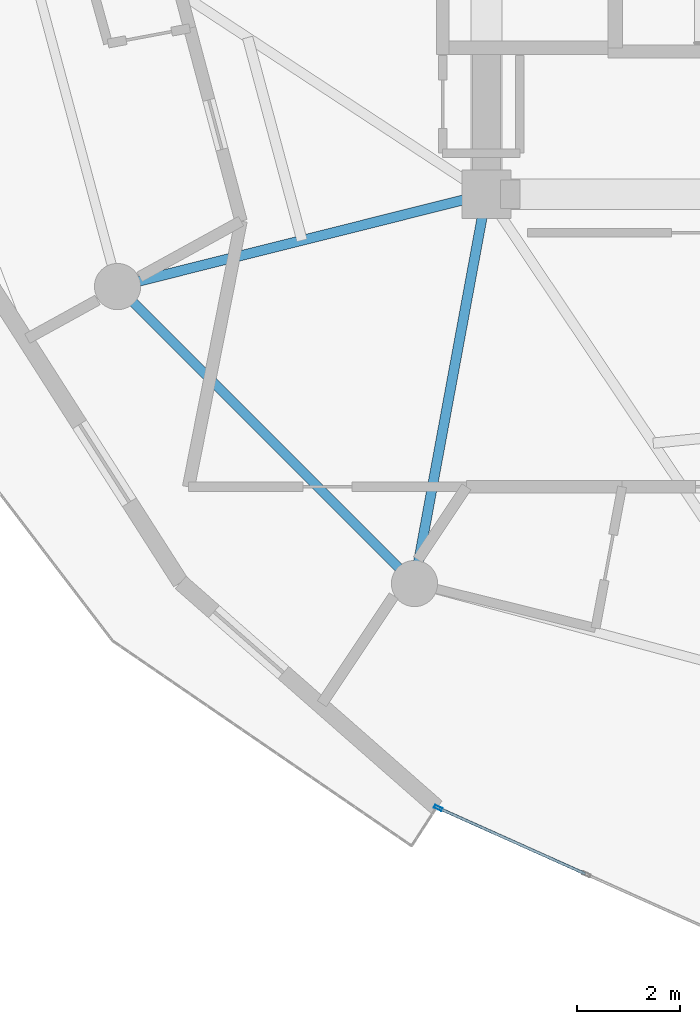
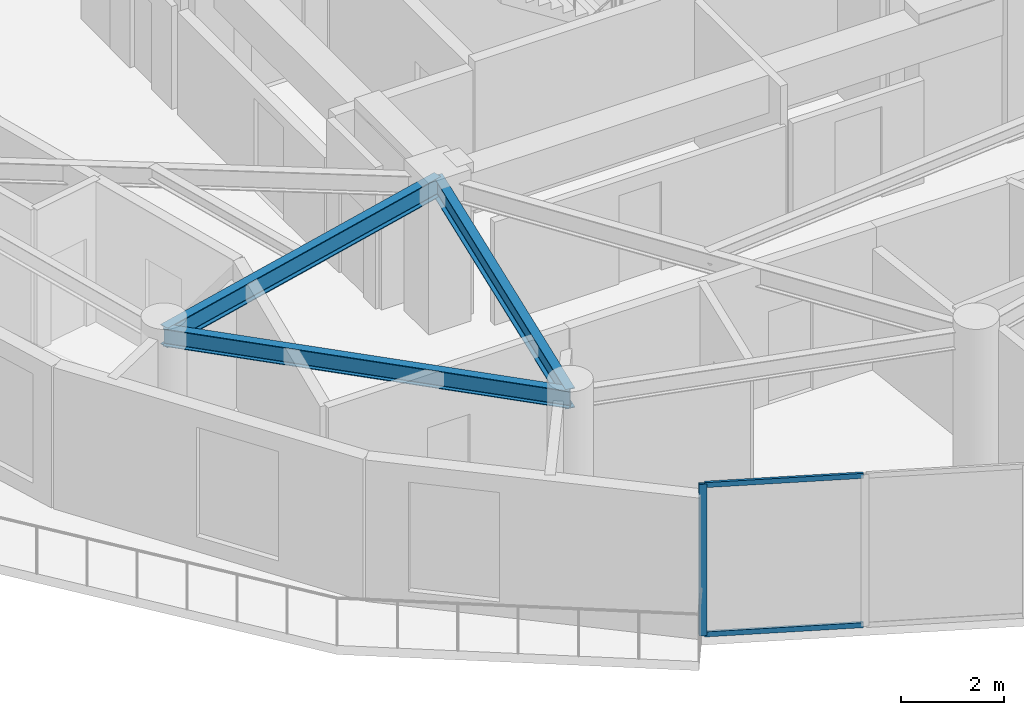
# One storey, part 2 of 21: 3 beams, 3 members, 1 element without a shape of its own.
"""IFC4 building model written with IfcOpenShell, lengths in metres."""

from ifc_helpers import new_model, si_unit, direction, frame, origin, origin_2d, place, context, subcontext, project, spatial, hollow_rectangle, i_section, extrude, source, transform, mapped, material, layer, layer_set, material_profile, profile_set, type_object, element, aggregate, save


model = new_model("IFC4")

# Units and contexts
model_context = context("Model", 3, precision=1e-05, world=origin(), true_north=direction((0.0, 1.0)))
body_context = subcontext(model_context, "Body", "Model", "MODEL_VIEW")
ifc_project = project(units=[si_unit("LENGTHUNIT", "METRE"), si_unit("AREAUNIT", "SQUARE_METRE"), si_unit("VOLUMEUNIT", "CUBIC_METRE"), si_unit("PLANEANGLEUNIT", "RADIAN"), si_unit("MASSUNIT", "GRAM", prefix="KILO")], contexts=[model_context])

# Site, building, storey
site_placement = place(None, origin())
site = spatial("IfcSite", under=ifc_project, at=site_placement, CompositionType="ELEMENT")
building_placement = place(site_placement, origin())
building = spatial("IfcBuilding", under=site, at=building_placement, Name="Solvirekh Grand Hotel", CompositionType="ELEMENT")
storey_placement = place(building_placement, frame((0.0, 0.0, 205.60009765625)))
storey = spatial("IfcBuildingStorey", under=building, at=storey_placement, Name="L53", CompositionType="ELEMENT", Elevation=205.60009765625)

# Beams
ifc_material_1 = material(Name="Steel S355", Category="steel")
ifc_material_profile_1 = material_profile(ifc_material_1, i_section(OverallWidth=0.194091796875, OverallDepth=0.468994140625, WebThickness=0.010986328125, FlangeThickness=0.01904296875, FilletRadius=0.012939453125, at=origin_2d()), Name="W460X106")
ifc_profile_set_1 = profile_set([ifc_material_profile_1], Name="Steel S355")
beam_type_1 = type_object("IfcBeamType", Name="Beam_Radial_W460H", PredefinedType="BEAM", material=ifc_profile_set_1)
beam_1_placement = place(storey_placement, frame((-6.5, -6.10009765625, 3.1259765625), z_axis=(-0.970014367692, -0.243047580675, 0.0), x_axis=(0.243047580675, -0.970014367692, 0.0)))
element("IfcBeam", 1, at=beam_1_placement, inside=storey, type_object=beam_type_1, Name="L53 radial floor beam R08", PredefinedType="BEAM", context=body_context, shape_type="SweptSolid", body=[
    extrude(i_section(OverallWidth=0.194091796875, OverallDepth=0.468994140625, WebThickness=0.010986328125, FlangeThickness=0.01904296875, FilletRadius=0.012939453125, at=origin_2d()), origin(), (0.0, 0.0, 1.0), 7.4052734375),
])
beam_2_placement = place(storey_placement, frame((-6.5, -6.10009765625, 3.1259765625), z_axis=(-0.181542769111, -0.983383049978, 0.0), x_axis=(0.983383049978, -0.181542769111, 0.0)))
element("IfcBeam", 2, at=beam_2_placement, inside=storey, type_object=beam_type_1, Name="L53 radial floor beam R09", PredefinedType="BEAM", context=body_context, shape_type="SweptSolid", body=[
    extrude(i_section(OverallWidth=0.194091796875, OverallDepth=0.468994140625, WebThickness=0.010986328125, FlangeThickness=0.01904296875, FilletRadius=0.012939453125, at=origin_2d()), origin(), (0.0, 0.0, 1.0), 7.711181640625),
])
ifc_material_profile_2 = material_profile(ifc_material_1, i_section(OverallWidth=0.180908203125, OverallDepth=0.4169921875, WebThickness=0.010009765625, FlangeThickness=0.01611328125, FilletRadius=0.011962890625, at=origin_2d()), Name="W410X85")
ifc_profile_set_2 = profile_set([ifc_material_profile_2], Name="Steel S355")
beam_type_2 = type_object("IfcBeamType", Name="Spandrel_Ring_W410", PredefinedType="SPANDREL", material=ifc_profile_set_2)
beam_3_placement = place(storey_placement, frame((-13.68310546875, -7.89990234375, 3.15185546875), z_axis=(0.707106781187, -0.707106781187, 0.0), x_axis=(0.707106781187, 0.707106781187, 0.0)))
element("IfcBeam", 3, at=beam_3_placement, inside=storey, type_object=beam_type_2, Name="L53 perimeter spandrel beam 8", PredefinedType="SPANDREL", context=body_context, shape_type="SweptSolid", body=[
    extrude(i_section(OverallWidth=0.180908203125, OverallDepth=0.4169921875, WebThickness=0.010009765625, FlangeThickness=0.01611328125, FilletRadius=0.011962890625, at=origin_2d()), origin(), (0.0, 0.0, 1.0), 8.1787109375),
])

# Curtain wall, members
ifc_material_2 = material(Name="Anodized Bronze Aluminium 6063-T6", Category="aluminium")
ifc_layer = layer(ifc_material_2, 0.159912109375)
ifc_layer_set = layer_set([ifc_layer], Name="Anodized Bronze Aluminium 6063-T6")
curtain_wall_type = type_object("IfcCurtainWallType", Name="CW_Sys4_HighZoneFlushBronzeCW", PredefinedType="NOTDEFINED", material=ifc_layer_set)
curtain_wall_placement = place(storey_placement, origin())
curtain_wall = element("IfcCurtainWall", 4, at=curtain_wall_placement, inside=storey, type_object=curtain_wall_type, Name="L53 unitised bronze-glass curtain wall CW-L53-C18", PredefinedType="NOTDEFINED")
ifc_material_profile_3 = material_profile(ifc_material_2, hollow_rectangle(XDim=0.06005859375, YDim=0.159912109375, WallThickness=0.0048828125, at=origin_2d()), Name="ALU RHS 160X60X5")
ifc_profile_set_3 = profile_set([ifc_material_profile_3], Name="Anodized Bronze Aluminium 6063-T6")
member_type_1 = type_object("IfcMemberType", Name="CWMullion_Sys4", PredefinedType="MULLION", material=ifc_profile_set_3)
shared_shape_1 = source(origin(), body_context, "Body", "SweptSolid", [
    extrude(hollow_rectangle(XDim=0.06005859375, YDim=0.159912109375, WallThickness=0.0048828125, at=origin_2d()), origin(), (0.0, 0.0, 1.0), 3.599853515625),
])
member_1_placement = place(storey_placement, frame((-7.439697265625, -18.05322265625, 0.0), z_axis=(0.0, 0.0, 1.0), x_axis=(0.40893906676, 0.912561690888, 0.0)))
member_1 = element("IfcMember", 5, at=member_1_placement, type_object=member_type_1, Name="U04 mullion 1", PredefinedType="MULLION", context=body_context, shape_type="MappedRepresentation", body=[
    mapped(shared_shape_1, transform((0.0, 0.0, 0.0), x_axis=(1.0, 0.0, 0.0), y_axis=(0.0, 1.0, 0.0), z_axis=(0.0, 0.0, 1.0), scale=1.0)),
])
ifc_material_profile_4 = material_profile(ifc_material_2, hollow_rectangle(XDim=0.054931640625, YDim=0.1201171875, WallThickness=0.00390625, at=origin_2d()), Name="ALU RHS 120X55X4")
ifc_profile_set_4 = profile_set([ifc_material_profile_4], Name="Anodized Bronze Aluminium 6063-T6")
member_type_2 = type_object("IfcMemberType", Name="CWTransom_Sys4", PredefinedType="USERDEFINED", material=ifc_profile_set_4)
shared_shape_2 = source(origin(), body_context, "Body", "SweptSolid", [
    extrude(hollow_rectangle(XDim=0.054931640625, YDim=0.1201171875, WallThickness=0.00390625, at=origin_2d()), origin(), (0.0, 0.0, 1.0), 3.10498046875),
])
member_2_placement = place(storey_placement, frame((-7.412353515625, -18.0654296875, 0.02734375), z_axis=(0.912558908071, -0.408945276657, 0.0), x_axis=(0.408945276657, 0.912558908071, 0.0)))
member_2 = element("IfcMember", 6, at=member_2_placement, type_object=member_type_2, Name="U04 transom 1.1", ObjectType="TRANSOM", PredefinedType="USERDEFINED", context=body_context, shape_type="MappedRepresentation", body=[
    mapped(shared_shape_2, transform((0.0, 0.0, 0.0), x_axis=(1.0, 0.0, 0.0), y_axis=(0.0, 1.0, 0.0), z_axis=(0.0, 0.0, 1.0), scale=1.0)),
])
member_3_placement = place(storey_placement, frame((-7.412353515625, -18.0654296875, 3.572509765625), z_axis=(0.912558908071, -0.408945276657, 0.0), x_axis=(0.408945276657, 0.912558908071, 0.0)))
member_3 = element("IfcMember", 7, at=member_3_placement, type_object=member_type_2, Name="U04 transom 1.2", ObjectType="TRANSOM", PredefinedType="USERDEFINED", context=body_context, shape_type="MappedRepresentation", body=[
    mapped(shared_shape_2, transform((0.0, 0.0, 0.0), x_axis=(1.0, 0.0, 0.0), y_axis=(0.0, 1.0, 0.0), z_axis=(0.0, 0.0, 1.0), scale=1.0)),
])
aggregate(curtain_wall, [member_1, member_2, member_3])

save(model, "model.ifc")
